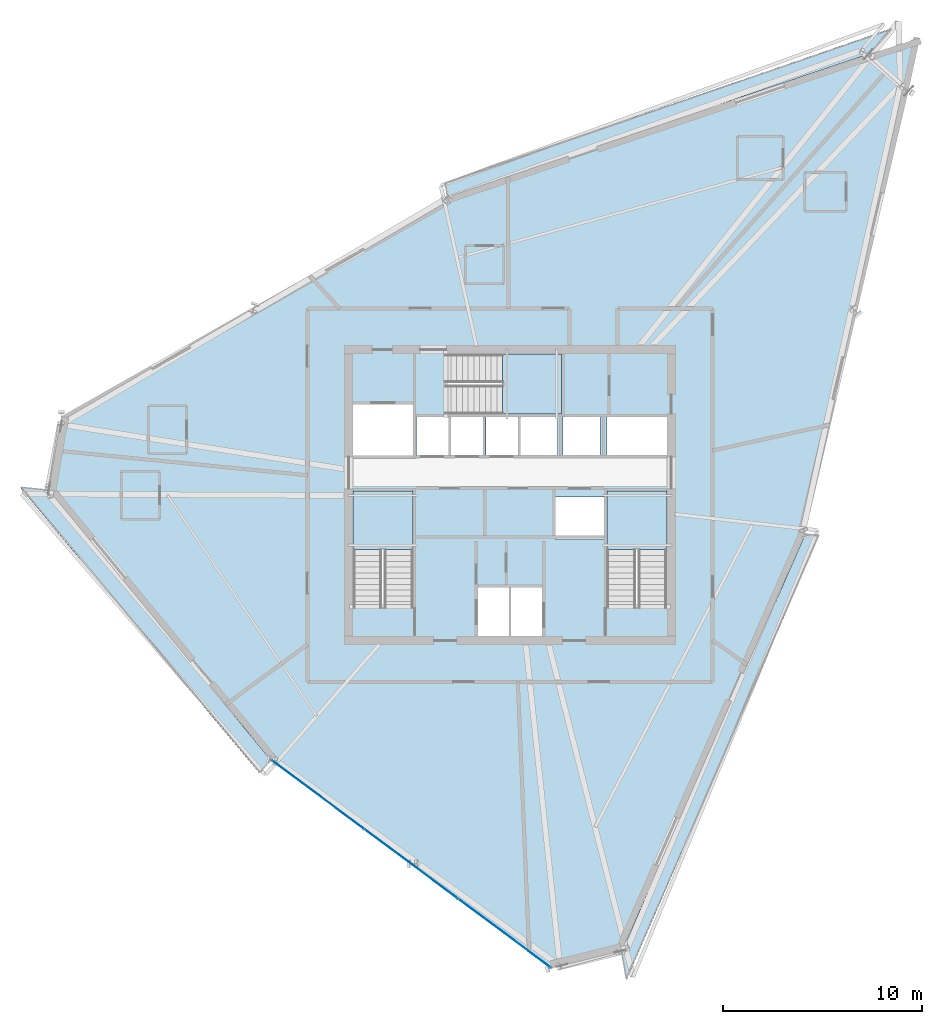
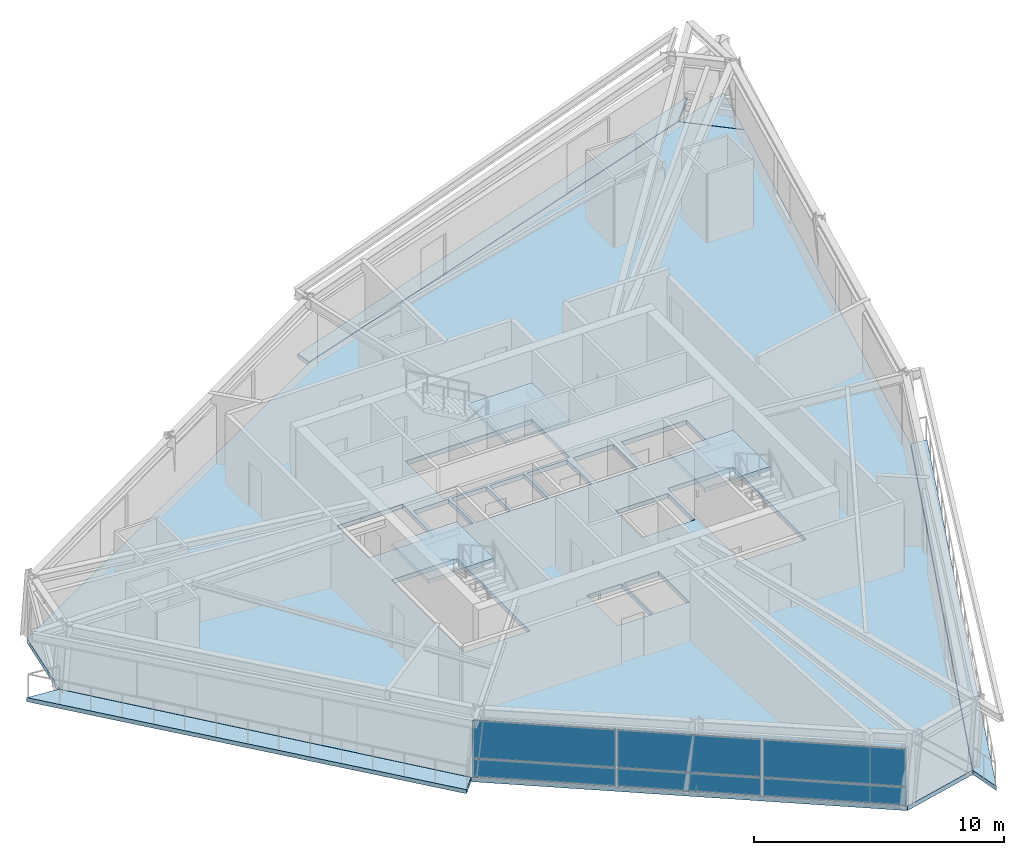
# One storey, part 5 of 14: 8 slabs, 6 plates, 4 elements without a shape of their own.
"""IFC4 building model written with IfcOpenShell, lengths in metres."""

from ifc_helpers import new_model, si_unit, direction, frame, origin, origin_2d, place, context, subcontext, project, spatial, polyline, rectangle, outline, extrude, source, transform, mapped, material, layer, layer_set, type_object, element, aggregate, save


model = new_model("IFC4")

# Units and contexts
model_context = context("Model", 3, precision=1e-05, world=origin(), true_north=direction((0.0, 1.0)))
body_context = subcontext(model_context, "Body", "Model", "MODEL_VIEW")
ifc_project = project(units=[si_unit("LENGTHUNIT", "METRE"), si_unit("AREAUNIT", "SQUARE_METRE"), si_unit("VOLUMEUNIT", "CUBIC_METRE"), si_unit("PLANEANGLEUNIT", "RADIAN"), si_unit("MASSUNIT", "GRAM", prefix="KILO")], contexts=[model_context])

# Site, building, storey
site_placement = place(None, origin())
site = spatial("IfcSite", under=ifc_project, at=site_placement, CompositionType="ELEMENT")
building_placement = place(site_placement, origin())
building = spatial("IfcBuilding", under=site, at=building_placement, Name="Olszyna Solenne Hotel", CompositionType="ELEMENT")
storey_placement = place(building_placement, frame((0.0, 0.0, 230.89990234375)))
storey = spatial("IfcBuildingStorey", under=building, at=storey_placement, Name="L61", CompositionType="ELEMENT", Elevation=230.89990234375)

# Stair, slab
ifc_material_1 = material(Name="Concrete C40/50", Category="concrete")
stair_type = type_object("IfcStairType", Name="STR-C1", PredefinedType="TWO_QUARTER_WINDING_STAIR", material=ifc_material_1)
stair_1_placement = place(storey_placement, origin())
stair_1 = element("IfcStair", 1, at=stair_1_placement, inside=storey, type_object=stair_type, Name="L61 ST1", PredefinedType="TWO_QUARTER_WINDING_STAIR")
ifc_layer_1 = layer(ifc_material_1, 0.18994140625, Name="Concrete C40/50")
ifc_layer_set_1 = layer_set([ifc_layer_1], Name="Concrete C40/50")
slab_type_1 = type_object("IfcSlabType", Name="SL-LN190", PredefinedType="LANDING", material=ifc_layer_set_1)
slab_1_placement = place(storey_placement, frame((0.0, 0.0, 1.60009765625)))
slab_1 = element("IfcSlab", 2, at=slab_1_placement, type_object=slab_type_1, Name="ST1 landing 1", PredefinedType="LANDING", context=body_context, shape_type="SweptSolid", body=[
    extrude(outline(polyline([(33.1201171875, 23.85009765625), (33.1201171875, 26.800048828125), (30.10009765625, 26.800048828125), (30.10009765625, 23.85009765625), (33.1201171875, 23.85009765625)])), origin(), (0.0, 0.0, 1.0), 0.199951171875),
])
aggregate(stair_1, [slab_1])

stair_2_placement = place(storey_placement, origin())
stair_2 = element("IfcStair", 3, at=stair_2_placement, inside=storey, type_object=stair_type, Name="L61 ST2", PredefinedType="TWO_QUARTER_WINDING_STAIR")
slab_2_placement = place(storey_placement, frame((0.0, 0.0, 1.60009765625)))
slab_2 = element("IfcSlab", 4, at=slab_2_placement, type_object=slab_type_1, Name="ST2 landing 1", PredefinedType="LANDING", context=body_context, shape_type="SweptSolid", body=[
    extrude(outline(polyline([(45.89990234375, 23.85009765625), (45.89990234375, 26.800048828125), (42.8798828125, 26.800048828125), (42.8798828125, 23.85009765625), (45.89990234375, 23.85009765625)])), origin(), (0.0, 0.0, 1.0), 0.199951171875),
])
aggregate(stair_2, [slab_2])

stair_3_placement = place(storey_placement, origin())
stair_3 = element("IfcStair", 5, at=stair_3_placement, inside=storey, type_object=stair_type, Name="L61 ST3", PredefinedType="TWO_QUARTER_WINDING_STAIR")
slab_3_placement = place(storey_placement, frame((0.0, 0.0, 1.60009765625)))
slab_3 = element("IfcSlab", 6, at=slab_3_placement, type_object=slab_type_1, Name="ST3 landing 1", PredefinedType="LANDING", context=body_context, shape_type="SweptSolid", body=[
    extrude(outline(polyline([(37.6298828125, 30.679931640625), (40.580078125, 30.679931640625), (40.580078125, 33.699951171875), (37.6298828125, 33.699951171875), (37.6298828125, 30.679931640625)])), origin(), (0.0, 0.0, 1.0), 0.199951171875),
])
aggregate(stair_3, [slab_3])

# Slabs
ifc_material_2 = material(Name="Precast concrete C45/55", Category="concrete")
ifc_layer_2 = layer(ifc_material_2, 0.199951171875, Name="Precast concrete C45/55")
ifc_layer_set_2 = layer_set([ifc_layer_2], Name="Precast concrete C45/55")
slab_type_2 = type_object("IfcSlabType", Name="SL-LOG200", PredefinedType="FLOOR", material=ifc_layer_set_2)
slab_4_placement = place(storey_placement, frame((0.0, 0.0, -0.199951171875)))
element("IfcSlab", 7, at=slab_4_placement, inside=storey, type_object=slab_type_2, Name="Exterior loggia balcony slab SL-L61-LG1", PredefinedType="FLOOR", context=body_context, shape_type="SweptSolid", body=[
    extrude(outline(polyline([(34.85498046875, 41.62890625), (56.041259765625, 48.79833984375), (56.04150390625, 48.79833984375), (56.06591796875, 48.80615234375), (57.235107421875, 50.110107421875), (34.729736328125, 42.349609375), (34.85498046875, 41.62890625)])), origin(), (0.0, 0.0, 1.0), 0.199951171875),
])
slab_5_placement = place(storey_placement, frame((0.0, 0.0, -0.199951171875)))
element("IfcSlab", 8, at=slab_5_placement, inside=storey, type_object=slab_type_2, Name="Exterior loggia balcony slab SL-L61-LG2", PredefinedType="FLOOR", context=body_context, shape_type="SweptSolid", body=[
    extrude(outline(polyline([(25.95947265625, 13.263427734375), (25.959228515625, 13.263671875), (25.9580078125, 13.26513671875), (14.764404296875, 26.8408203125), (14.763671875, 26.841796875), (14.7626953125, 26.843017578125), (14.76220703125, 26.844482421875), (14.76171875, 26.845703125), (14.76123046875, 26.84716796875), (14.760986328125, 26.848388671875), (14.760986328125, 26.85009765625), (14.760986328125, 26.851318359375), (14.760986328125, 26.851806640625), (13.331298828125, 26.995361328125), (25.375, 12.611572265625), (25.95947265625, 13.263427734375)])), origin(), (0.0, 0.0, 1.0), 0.199951171875),
])
slab_6_placement = place(storey_placement, frame((0.0, 0.0, -0.199951171875)))
element("IfcSlab", 9, at=slab_6_placement, inside=storey, type_object=slab_type_2, Name="Exterior loggia balcony slab SL-L61-LG3", PredefinedType="FLOOR", context=body_context, shape_type="SweptSolid", body=[
    extrude(outline(polyline([(52.869873046875, 24.635986328125), (52.869384765625, 24.634033203125), (52.868896484375, 24.6328125), (52.868408203125, 24.63134765625), (43.626953125, 3.654296875), (43.626220703125, 3.65283203125), (43.62548828125, 3.651611328125), (43.62451171875, 3.650390625), (43.623291015625, 3.6494140625), (43.622314453125, 3.6484375), (43.62109375, 3.6474609375), (43.61962890625, 3.646728515625), (43.618408203125, 3.646240234375), (43.61669921875, 3.645751953125), (43.61572265625, 3.6455078125), (43.868896484375, 2.189208984375), (53.5771484375, 24.56494140625), (52.869873046875, 24.635986328125)])), origin(), (0.0, 0.0, 1.0), 0.199951171875),
])
ifc_material_3 = material(Name="Concrete C50/60", Category="concrete")
ifc_layer_3 = layer(ifc_material_3, 0.219970703125, Name="Concrete C50/60")
ifc_layer_set_3 = layer_set([ifc_layer_3], Name="Concrete C50/60")
slab_type_3 = type_object("IfcSlabType", Name="SL-TW225", PredefinedType="FLOOR", material=ifc_layer_set_3)
slab_7_placement = place(storey_placement, frame((0.0, 0.0, -0.219970703125)))
element("IfcSlab", 10, at=slab_7_placement, inside=storey, type_object=slab_type_3, Name="Floor slab SL-TW225 SL-L61-01", PredefinedType="FLOOR", context=body_context, shape_type="SweptSolid", body=[
    extrude(outline(polyline([(58.059814453125, 46.961181640625), (56.046142578125, 48.7841796875), (34.857421875, 41.614013671875), (15.41015625, 30.56103515625), (14.77587890625, 26.850341796875), (25.969482421875, 13.274658203125), (40.0947265625, 2.782958984375), (43.61328125, 3.660400390625), (52.854736328125, 24.637451171875), (58.059814453125, 46.961181640625)]), holes=[polyline([(30.10009765625, 20.949951171875), (33.1201171875, 20.949951171875), (33.1201171875, 26.800048828125), (30.10009765625, 26.800048828125), (30.10009765625, 20.949951171875)]), polyline([(42.8798828125, 20.949951171875), (45.89990234375, 20.949951171875), (45.89990234375, 26.800048828125), (42.8798828125, 26.800048828125), (42.8798828125, 20.949951171875)]), polyline([(34.72998046875, 30.679931640625), (40.580078125, 30.679931640625), (40.580078125, 33.699951171875), (34.72998046875, 33.699951171875), (34.72998046875, 30.679931640625)]), polyline([(36.340087890625, 19.5), (37.9599609375, 19.5), (37.9599609375, 21.9599609375), (36.340087890625, 21.9599609375), (36.340087890625, 19.5)]), polyline([(38.0400390625, 19.5), (39.659912109375, 19.5), (39.659912109375, 21.9599609375), (38.0400390625, 21.9599609375), (38.0400390625, 19.5)]), polyline([(30.10009765625, 28.60009765625), (33.1201171875, 28.60009765625), (33.1201171875, 31.159912109375), (30.10009765625, 31.159912109375), (30.10009765625, 28.60009765625)]), polyline([(40.280029296875, 24.360107421875), (42.719970703125, 24.360107421875), (42.719970703125, 26.5), (40.280029296875, 26.5), (40.280029296875, 24.360107421875)]), polyline([(33.280029296875, 28.60009765625), (34.89990234375, 28.60009765625), (34.89990234375, 30.550048828125), (33.280029296875, 30.550048828125), (33.280029296875, 28.60009765625)]), polyline([(35.030029296875, 28.60009765625), (36.64990234375, 28.60009765625), (36.64990234375, 30.550048828125), (35.030029296875, 30.550048828125), (35.030029296875, 28.60009765625)]), polyline([(36.780029296875, 28.60009765625), (38.39990234375, 28.60009765625), (38.39990234375, 30.550048828125), (36.780029296875, 30.550048828125), (36.780029296875, 28.60009765625)]), polyline([(38.530029296875, 28.60009765625), (40.389892578125, 28.60009765625), (40.389892578125, 30.550048828125), (38.530029296875, 30.550048828125), (38.530029296875, 28.60009765625)]), polyline([(40.659912109375, 28.60009765625), (42.52001953125, 28.60009765625), (42.52001953125, 30.550048828125), (40.659912109375, 30.550048828125), (40.659912109375, 28.60009765625)]), polyline([(42.8798828125, 28.60009765625), (45.89990234375, 28.60009765625), (45.89990234375, 30.550048828125), (42.8798828125, 30.550048828125), (42.8798828125, 28.60009765625)])]), origin(), (0.0, 0.0, 1.0), 0.219970703125),
])
slab_8_placement = place(storey_placement, frame((0.0, 0.0, -0.219970703125)))
element("IfcSlab", 11, at=slab_8_placement, inside=storey, type_object=slab_type_3, Name="Faceted glass-prism floor slab SL-L61-PR", PredefinedType="FLOOR", context=body_context, shape_type="SweptSolid", body=[
    extrude(outline(polyline([(56.05712890625, 48.78759765625), (58.062255859375, 46.97265625), (58.6298828125, 49.614990234375), (56.05712890625, 48.78759765625)])), origin(), (0.0, 0.0, 1.0), 0.219970703125),
])

# Curtain wall, plates
ifc_material_4 = material(Name="Anodised bronze aluminium", Category="aluminium")
curtain_wall_type = type_object("IfcCurtainWallType", Name="CW-SYS-4", PredefinedType="NOTDEFINED", material=ifc_material_4)
curtain_wall_placement = place(storey_placement, origin())
curtain_wall = element("IfcCurtainWall", 12, at=curtain_wall_placement, inside=storey, type_object=curtain_wall_type, Name="Unitised curtain wall CW-SYS-4 CW-L61-01", PredefinedType="NOTDEFINED")
ifc_material_5 = material(Name="Terracotta cladding", Category="masonry")
plate_type_1 = type_object("IfcPlateType", Name="PN-SP1", PredefinedType="CURTAIN_PANEL", material=ifc_material_5)
shared_shape_1 = source(origin(), body_context, "Body", "SweptSolid", [
    extrude(rectangle(XDim=5.767578125, YDim=0.035888671875, at=origin_2d()), origin(), (0.0, 0.0, 1.0), 0.8525390625),
])
plate_1_placement = place(storey_placement, frame((28.336669921875, 11.516357421875, 0.065185546875), z_axis=(0.0, 0.0, 1.0), x_axis=(0.802779369478, -0.596276180926, 0.0)))
plate_1 = element("IfcPlate", 13, at=plate_1_placement, type_object=plate_type_1, Name="Curtain-wall panel PN-SP1 CP-L61-01-01", PredefinedType="CURTAIN_PANEL", context=body_context, shape_type="MappedRepresentation", body=[
    mapped(shared_shape_1, transform((0.0, 0.0, 0.0), x_axis=(1.0, 0.0, 0.0), y_axis=(0.0, 1.0, 0.0), z_axis=(0.0, 0.0, 1.0), scale=1.0)),
])
plate_2_placement = place(storey_placement, frame((37.7275390625, 4.541259765625, 0.065185546875), z_axis=(0.0, 0.0, 1.0), x_axis=(0.802779369478, -0.596276180926, 0.0)))
plate_2 = element("IfcPlate", 14, at=plate_2_placement, type_object=plate_type_1, Name="Curtain-wall panel PN-SP1 CP-L61-01-05", PredefinedType="CURTAIN_PANEL", context=body_context, shape_type="MappedRepresentation", body=[
    mapped(shared_shape_1, transform((0.0, 0.0, 0.0), x_axis=(1.0, 0.0, 0.0), y_axis=(0.0, 1.0, 0.0), z_axis=(0.0, 0.0, 1.0), scale=1.0)),
])
ifc_material_6 = material(Name="Low-E triple glazing", Category="glass")
plate_type_2 = type_object("IfcPlateType", Name="PN-GL1", PredefinedType="CURTAIN_PANEL", material=ifc_material_6)
shared_shape_2 = source(origin(), body_context, "Body", "SweptSolid", [
    extrude(rectangle(XDim=5.767578125, YDim=0.035888671875, at=origin_2d()), origin(), (0.0, 0.0, 1.0), 1.824462890625),
])
plate_3_placement = place(storey_placement, frame((28.336669921875, 11.516357421875, 0.982421875), z_axis=(0.0, 0.0, 1.0), x_axis=(0.802779369478, -0.596276180926, 0.0)))
plate_3 = element("IfcPlate", 15, at=plate_3_placement, type_object=plate_type_2, Name="Curtain-wall panel PN-GL1 CP-L61-01-02", PredefinedType="CURTAIN_PANEL", context=body_context, shape_type="MappedRepresentation", body=[
    mapped(shared_shape_2, transform((0.0, 0.0, 0.0), x_axis=(1.0, 0.0, 0.0), y_axis=(0.0, 1.0, 0.0), z_axis=(0.0, 0.0, 1.0), scale=1.0)),
])
plate_4_placement = place(storey_placement, frame((37.7275390625, 4.541259765625, 0.982421875), z_axis=(0.0, 0.0, 1.0), x_axis=(0.802779369478, -0.596276180926, 0.0)))
plate_4 = element("IfcPlate", 16, at=plate_4_placement, type_object=plate_type_2, Name="Curtain-wall panel PN-GL1 CP-L61-01-06", PredefinedType="CURTAIN_PANEL", context=body_context, shape_type="MappedRepresentation", body=[
    mapped(shared_shape_2, transform((0.0, 0.0, 0.0), x_axis=(1.0, 0.0, 0.0), y_axis=(0.0, 1.0, 0.0), z_axis=(0.0, 0.0, 1.0), scale=1.0)),
])
shared_shape_3 = source(origin(), body_context, "Body", "SweptSolid", [
    extrude(rectangle(XDim=5.800048828125, YDim=0.035888671875, at=origin_2d()), origin(), (0.0, 0.0, 1.0), 0.8525390625),
])
plate_5_placement = place(storey_placement, frame((33.031982421875, 8.02880859375, 0.065185546875), z_axis=(0.0, 0.0, 1.0), x_axis=(0.802779369478, -0.596276180926, 0.0)))
plate_5 = element("IfcPlate", 17, at=plate_5_placement, type_object=plate_type_1, Name="Curtain-wall panel PN-SP1 CP-L61-01-03", PredefinedType="CURTAIN_PANEL", context=body_context, shape_type="MappedRepresentation", body=[
    mapped(shared_shape_3, transform((0.0, 0.0, 0.0), x_axis=(1.0, 0.0, 0.0), y_axis=(0.0, 1.0, 0.0), z_axis=(0.0, 0.0, 1.0), scale=1.0)),
])
shared_shape_4 = source(origin(), body_context, "Body", "SweptSolid", [
    extrude(rectangle(XDim=5.800048828125, YDim=0.035888671875, at=origin_2d()), origin(), (0.0, 0.0, 1.0), 1.824462890625),
])
plate_6_placement = place(storey_placement, frame((33.031982421875, 8.02880859375, 0.982421875), z_axis=(0.0, 0.0, 1.0), x_axis=(0.802779369478, -0.596276180926, 0.0)))
plate_6 = element("IfcPlate", 18, at=plate_6_placement, type_object=plate_type_2, Name="Curtain-wall panel PN-GL1 CP-L61-01-04", PredefinedType="CURTAIN_PANEL", context=body_context, shape_type="MappedRepresentation", body=[
    mapped(shared_shape_4, transform((0.0, 0.0, 0.0), x_axis=(1.0, 0.0, 0.0), y_axis=(0.0, 1.0, 0.0), z_axis=(0.0, 0.0, 1.0), scale=1.0)),
])
aggregate(curtain_wall, [plate_1, plate_3, plate_5, plate_6, plate_2, plate_4])

save(model, "model.ifc")
